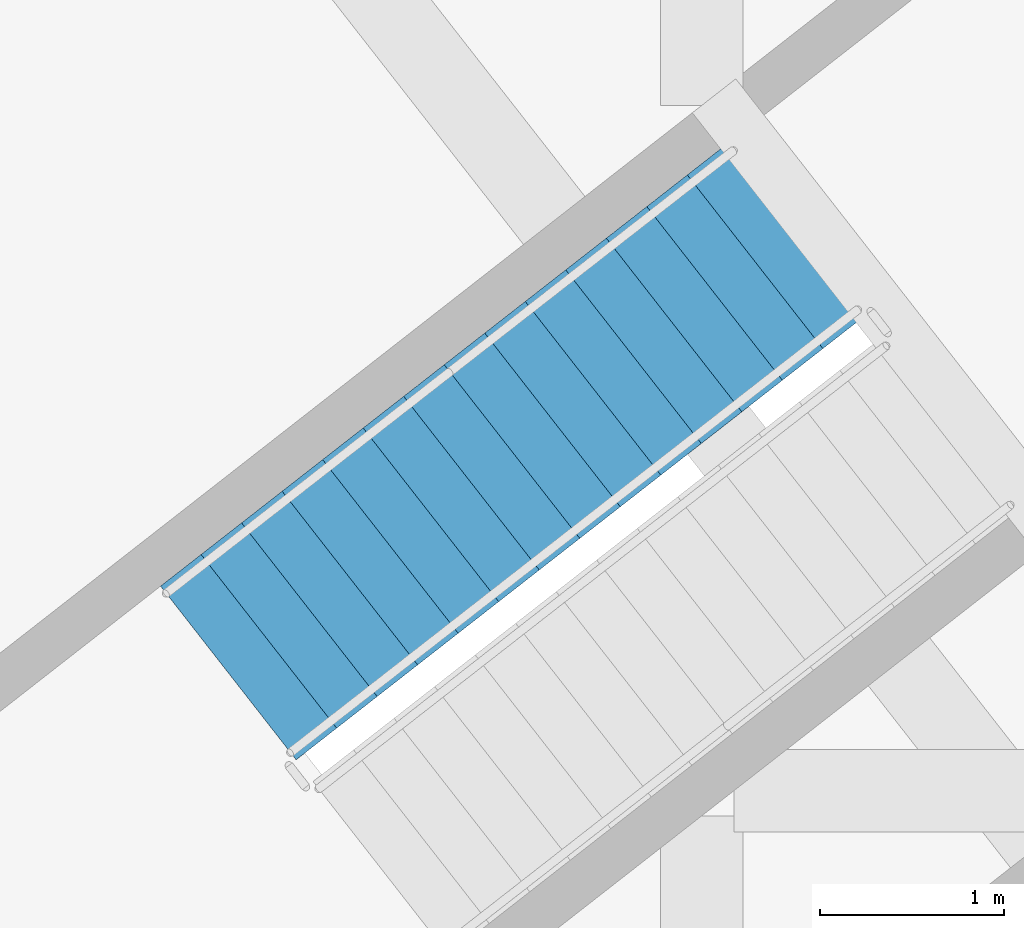
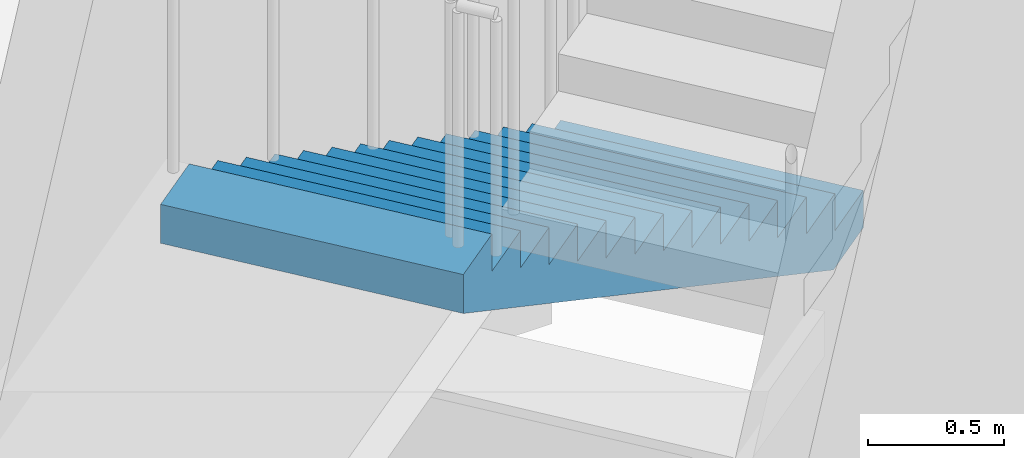
# One storey, part 18 of 22: 1 stair flight, 1 element without a shape of its own.
"""IFC4 building model written with IfcOpenShell, lengths in metres."""

from ifc_helpers import new_model, si_unit, direction, frame, origin, place, context, subcontext, project, spatial, faceted_brep, material, type_object, element, aggregate, save


model = new_model("IFC4")

# Units and contexts
model_context = context("Model", 3, precision=1e-05, world=origin(), true_north=direction((0.0, 1.0)))
body_context = subcontext(model_context, "Body", "Model", "MODEL_VIEW")
ifc_project = project(units=[si_unit("LENGTHUNIT", "METRE"), si_unit("AREAUNIT", "SQUARE_METRE"), si_unit("VOLUMEUNIT", "CUBIC_METRE"), si_unit("PLANEANGLEUNIT", "RADIAN"), si_unit("MASSUNIT", "GRAM", prefix="KILO")], contexts=[model_context])

# Site, building, storey
site_placement = place(None, origin())
site = spatial("IfcSite", under=ifc_project, at=site_placement, CompositionType="ELEMENT")
building_placement = place(site_placement, origin())
building = spatial("IfcBuilding", under=site, at=building_placement, Name="Tarsis Ring Headquarters", CompositionType="ELEMENT")
storey_placement = place(building_placement, frame((0.0, 0.0, 25.0)))
storey = spatial("IfcBuildingStorey", under=building, at=storey_placement, Name="L04", CompositionType="ELEMENT", Elevation=25.0)

# Stair, stair flight
ifc_material = material(Name="Concrete C40/50", Category="concrete")
stair_type = type_object("IfcStairType", Name="PO-ST", PredefinedType="HALF_TURN_STAIR", material=ifc_material)
stair_placement = place(storey_placement, origin())
stair = element("IfcStair", 1, at=stair_placement, inside=storey, type_object=stair_type, Name="L04 Podium stair", PredefinedType="HALF_TURN_STAIR")
stair_flight_type = type_object("IfcStairFlightType", Name="PO-STF", PredefinedType="STRAIGHT", material=ifc_material)
stair_flight_placement = place(storey_placement, frame((-17.48779296875, 48.052978515625, 0.0), z_axis=(0.0, 0.0, 1.0), x_axis=(-0.788276433435, -0.615321269331, 0.0)))
stair_flight = element("IfcStairFlight", 2, at=stair_flight_placement, type_object=stair_flight_type, Name="Stair PS4 flight 1", NumberOfRisers=15, NumberOfTreads=14, PredefinedType="STRAIGHT", RiserHeight=0.166666667, TreadLength=0.28, context=body_context, shape_type="Brep", body=[
    faceted_brep([(0.0, 0.60009765625, 0.0), (0.0, 0.60009765625, 0.166748046875), (0.280029296875, 0.60009765625, 0.166748046875), (0.280029296875, 0.60009765625, 0.333251953125), (0.56005859375, 0.60009765625, 0.333251953125), (0.56005859375, 0.60009765625, 0.5), (0.840087890625, 0.60009765625, 0.5), (0.840087890625, 0.60009765625, 0.666748046875), (1.1201171875, 0.60009765625, 0.666748046875), (1.1201171875, 0.60009765625, 0.833251953125), (1.39990234375, 0.60009765625, 0.833251953125), (1.39990234375, 0.60009765625, 1.0), (1.679931640625, 0.60009765625, 1.0), (1.679931640625, 0.60009765625, 1.166748046875), (1.9599609375, 0.60009765625, 1.166748046875), (1.9599609375, 0.60009765625, 1.333251953125), (2.239990234375, 0.60009765625, 1.333251953125), (2.239990234375, 0.60009765625, 1.5), (2.52001953125, 0.60009765625, 1.5), (2.52001953125, 0.60009765625, 1.666748046875), (2.800048828125, 0.60009765625, 1.666748046875), (2.800048828125, 0.60009765625, 1.833251953125), (3.080078125, 0.60009765625, 1.833251953125), (3.080078125, 0.60009765625, 2.0), (3.360107421875, 0.60009765625, 2.0), (3.360107421875, 0.60009765625, 2.166748046875), (3.639892578125, 0.60009765625, 2.166748046875), (3.639892578125, 0.60009765625, 2.333251953125), (3.919921875, 0.60009765625, 2.333251953125), (3.919921875, 0.60009765625, 2.158935546875), (0.29296875, 0.60009765625, 0.0), (0.29296875, -0.60009765625, 0.0), (3.919921875, -0.60009765625, 2.158935546875), (3.919921875, -0.60009765625, 2.333251953125), (3.639892578125, -0.60009765625, 2.333251953125), (3.639892578125, -0.60009765625, 2.166748046875), (3.360107421875, -0.60009765625, 2.166748046875), (3.360107421875, -0.60009765625, 2.0), (3.080078125, -0.60009765625, 2.0), (3.080078125, -0.60009765625, 1.833251953125), (2.800048828125, -0.60009765625, 1.833251953125), (2.800048828125, -0.60009765625, 1.666748046875), (2.52001953125, -0.60009765625, 1.666748046875), (2.52001953125, -0.60009765625, 1.5), (2.239990234375, -0.60009765625, 1.5), (2.239990234375, -0.60009765625, 1.333251953125), (1.9599609375, -0.60009765625, 1.333251953125), (1.9599609375, -0.60009765625, 1.166748046875), (1.679931640625, -0.60009765625, 1.166748046875), (1.679931640625, -0.60009765625, 1.0), (1.39990234375, -0.60009765625, 1.0), (1.39990234375, -0.60009765625, 0.833251953125), (1.1201171875, -0.60009765625, 0.833251953125), (1.1201171875, -0.60009765625, 0.666748046875), (0.840087890625, -0.60009765625, 0.666748046875), (0.840087890625, -0.60009765625, 0.5), (0.56005859375, -0.60009765625, 0.5), (0.56005859375, -0.60009765625, 0.333251953125), (0.280029296875, -0.60009765625, 0.333251953125), (0.280029296875, -0.60009765625, 0.166748046875), (0.0, -0.60009765625, 0.166748046875), (0.0, -0.60009765625, 0.0), (0.0, -0.300048828125, 0.166748046875), (0.0, -0.300048828125, 0.0), (0.0, 0.0, 0.166748046875), (0.0, 0.0, 0.0), (0.0, 0.300048828125, 0.166748046875), (0.0, 0.300048828125, 0.0), (0.280029296875, -0.300048828125, 0.166748046875), (0.280029296875, 0.0, 0.166748046875), (0.280029296875, 0.300048828125, 0.166748046875), (0.280029296875, -0.300048828125, 0.333251953125), (0.280029296875, 0.0, 0.333251953125), (0.280029296875, 0.300048828125, 0.333251953125), (0.56005859375, -0.300048828125, 0.333251953125), (0.56005859375, 0.0, 0.333251953125), (0.56005859375, 0.300048828125, 0.333251953125), (0.56005859375, -0.300048828125, 0.5), (0.56005859375, 0.0, 0.5), (0.56005859375, 0.300048828125, 0.5), (0.840087890625, -0.300048828125, 0.5), (0.840087890625, 0.0, 0.5), (0.840087890625, 0.300048828125, 0.5), (0.840087890625, -0.300048828125, 0.666748046875), (0.840087890625, 0.0, 0.666748046875), (0.840087890625, 0.300048828125, 0.666748046875), (1.1201171875, -0.300048828125, 0.666748046875), (1.1201171875, 0.0, 0.666748046875), (1.1201171875, 0.300048828125, 0.666748046875), (1.1201171875, -0.300048828125, 0.833251953125), (1.1201171875, 0.0, 0.833251953125), (1.1201171875, 0.300048828125, 0.833251953125), (1.39990234375, -0.300048828125, 0.833251953125), (1.39990234375, 0.0, 0.833251953125), (1.39990234375, 0.300048828125, 0.833251953125), (1.39990234375, -0.300048828125, 1.0), (1.39990234375, 0.0, 1.0), (1.39990234375, 0.300048828125, 1.0), (1.679931640625, -0.300048828125, 1.0), (1.679931640625, 0.0, 1.0), (1.679931640625, 0.300048828125, 1.0), (1.679931640625, -0.300048828125, 1.166748046875), (1.679931640625, 0.0, 1.166748046875), (1.679931640625, 0.300048828125, 1.166748046875), (1.9599609375, -0.300048828125, 1.166748046875), (1.9599609375, 0.0, 1.166748046875), (1.9599609375, 0.300048828125, 1.166748046875), (1.9599609375, -0.300048828125, 1.333251953125), (1.9599609375, 0.0, 1.333251953125), (1.9599609375, 0.300048828125, 1.333251953125), (2.239990234375, -0.300048828125, 1.333251953125), (2.239990234375, 0.0, 1.333251953125), (2.239990234375, 0.300048828125, 1.333251953125), (2.239990234375, -0.300048828125, 1.5), (2.239990234375, 0.0, 1.5), (2.239990234375, 0.300048828125, 1.5), (2.52001953125, -0.300048828125, 1.5), (2.52001953125, 0.0, 1.5), (2.52001953125, 0.300048828125, 1.5), (2.52001953125, -0.300048828125, 1.666748046875), (2.52001953125, 0.0, 1.666748046875), (2.52001953125, 0.300048828125, 1.666748046875), (2.800048828125, -0.300048828125, 1.666748046875), (2.800048828125, 0.0, 1.666748046875), (2.800048828125, 0.300048828125, 1.666748046875), (2.800048828125, -0.300048828125, 1.833251953125), (2.800048828125, 0.0, 1.833251953125), (2.800048828125, 0.300048828125, 1.833251953125), (3.080078125, -0.300048828125, 1.833251953125), (3.080078125, 0.0, 1.833251953125), (3.080078125, 0.300048828125, 1.833251953125), (3.080078125, -0.300048828125, 2.0), (3.080078125, 0.0, 2.0), (3.080078125, 0.300048828125, 2.0), (3.360107421875, -0.300048828125, 2.0), (3.360107421875, 0.0, 2.0), (3.360107421875, 0.300048828125, 2.0), (3.360107421875, -0.300048828125, 2.166748046875), (3.360107421875, 0.0, 2.166748046875), (3.360107421875, 0.300048828125, 2.166748046875), (3.639892578125, -0.300048828125, 2.166748046875), (3.639892578125, 0.0, 2.166748046875), (3.639892578125, 0.300048828125, 2.166748046875), (3.639892578125, -0.300048828125, 2.333251953125), (3.639892578125, 0.0, 2.333251953125), (3.639892578125, 0.300048828125, 2.333251953125), (3.919921875, -0.300048828125, 2.333251953125), (3.919921875, 0.0, 2.333251953125), (3.919921875, 0.300048828125, 2.333251953125), (3.919921875, -0.300048828125, 2.158935546875), (3.919921875, 0.0, 2.158935546875), (3.919921875, 0.300048828125, 2.158935546875), (0.29296875, -0.300048828125, 0.0), (0.29296875, 0.0, 0.0), (0.29296875, 0.300048828125, 0.0)], [[[0, 1, 2, 3, 4, 5, 6, 7, 8, 9, 10, 11, 12, 13, 14, 15, 16, 17, 18, 19, 20, 21, 22, 23, 24, 25, 26, 27, 28, 29, 30]], [[31, 32, 33, 34, 35, 36, 37, 38, 39, 40, 41, 42, 43, 44, 45, 46, 47, 48, 49, 50, 51, 52, 53, 54, 55, 56, 57, 58, 59, 60, 61]], [[61, 60, 62, 63]], [[63, 62, 64, 65]], [[65, 64, 66, 67]], [[67, 66, 1, 0]], [[60, 59, 68, 62]], [[62, 68, 69, 64]], [[64, 69, 70, 66]], [[66, 70, 2, 1]], [[59, 58, 71, 68]], [[68, 71, 72, 69]], [[69, 72, 73, 70]], [[70, 73, 3, 2]], [[58, 57, 74, 71]], [[71, 74, 75, 72]], [[72, 75, 76, 73]], [[73, 76, 4, 3]], [[57, 56, 77, 74]], [[74, 77, 78, 75]], [[75, 78, 79, 76]], [[76, 79, 5, 4]], [[56, 55, 80, 77]], [[77, 80, 81, 78]], [[78, 81, 82, 79]], [[79, 82, 6, 5]], [[55, 54, 83, 80]], [[80, 83, 84, 81]], [[81, 84, 85, 82]], [[82, 85, 7, 6]], [[54, 53, 86, 83]], [[83, 86, 87, 84]], [[84, 87, 88, 85]], [[85, 88, 8, 7]], [[53, 52, 89, 86]], [[86, 89, 90, 87]], [[87, 90, 91, 88]], [[88, 91, 9, 8]], [[52, 51, 92, 89]], [[89, 92, 93, 90]], [[90, 93, 94, 91]], [[91, 94, 10, 9]], [[51, 50, 95, 92]], [[92, 95, 96, 93]], [[93, 96, 97, 94]], [[94, 97, 11, 10]], [[50, 49, 98, 95]], [[95, 98, 99, 96]], [[96, 99, 100, 97]], [[97, 100, 12, 11]], [[49, 48, 101, 98]], [[98, 101, 102, 99]], [[99, 102, 103, 100]], [[100, 103, 13, 12]], [[48, 47, 104, 101]], [[101, 104, 105, 102]], [[102, 105, 106, 103]], [[103, 106, 14, 13]], [[47, 46, 107, 104]], [[104, 107, 108, 105]], [[105, 108, 109, 106]], [[106, 109, 15, 14]], [[46, 45, 110, 107]], [[107, 110, 111, 108]], [[108, 111, 112, 109]], [[109, 112, 16, 15]], [[45, 44, 113, 110]], [[110, 113, 114, 111]], [[111, 114, 115, 112]], [[112, 115, 17, 16]], [[44, 43, 116, 113]], [[113, 116, 117, 114]], [[114, 117, 118, 115]], [[115, 118, 18, 17]], [[43, 42, 119, 116]], [[116, 119, 120, 117]], [[117, 120, 121, 118]], [[118, 121, 19, 18]], [[42, 41, 122, 119]], [[119, 122, 123, 120]], [[120, 123, 124, 121]], [[121, 124, 20, 19]], [[41, 40, 125, 122]], [[122, 125, 126, 123]], [[123, 126, 127, 124]], [[124, 127, 21, 20]], [[40, 39, 128, 125]], [[125, 128, 129, 126]], [[126, 129, 130, 127]], [[127, 130, 22, 21]], [[39, 38, 131, 128]], [[128, 131, 132, 129]], [[129, 132, 133, 130]], [[130, 133, 23, 22]], [[38, 37, 134, 131]], [[131, 134, 135, 132]], [[132, 135, 136, 133]], [[133, 136, 24, 23]], [[37, 36, 137, 134]], [[134, 137, 138, 135]], [[135, 138, 139, 136]], [[136, 139, 25, 24]], [[36, 35, 140, 137]], [[137, 140, 141, 138]], [[138, 141, 142, 139]], [[139, 142, 26, 25]], [[35, 34, 143, 140]], [[140, 143, 144, 141]], [[141, 144, 145, 142]], [[142, 145, 27, 26]], [[34, 33, 146, 143]], [[143, 146, 147, 144]], [[144, 147, 148, 145]], [[145, 148, 28, 27]], [[33, 32, 149, 146]], [[146, 149, 150, 147]], [[147, 150, 151, 148]], [[148, 151, 29, 28]], [[32, 31, 152, 149]], [[149, 152, 153, 150]], [[150, 153, 154, 151]], [[151, 154, 30, 29]], [[31, 61, 63, 152]], [[152, 63, 65, 153]], [[153, 65, 67, 154]], [[154, 67, 0, 30]]]),
])
aggregate(stair, [stair_flight])

save(model, "model.ifc")
